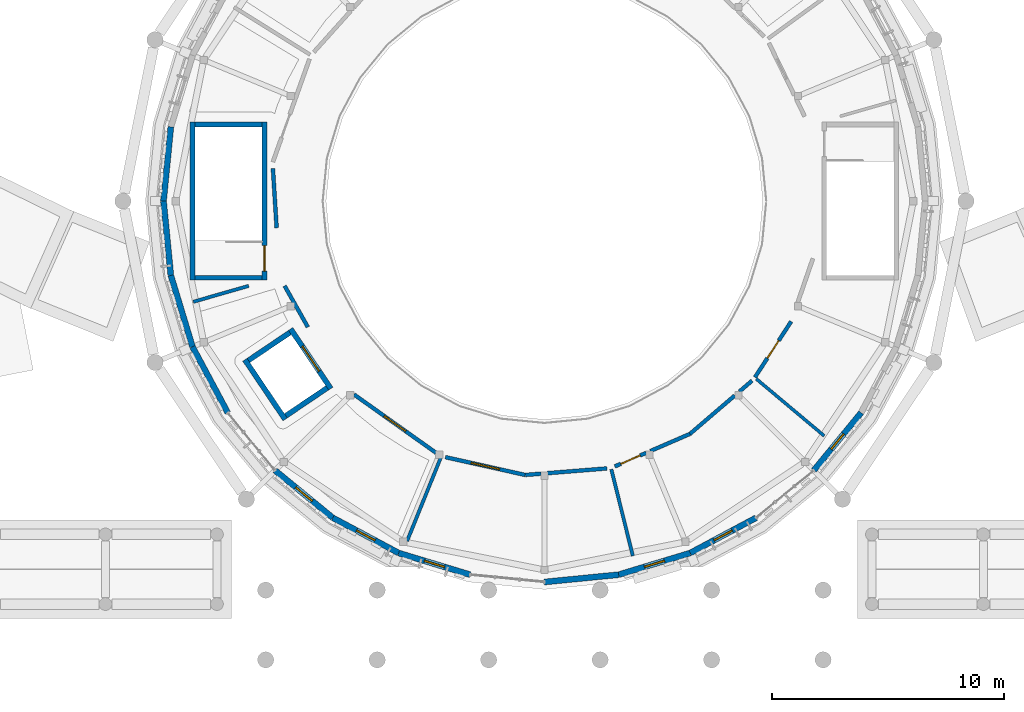
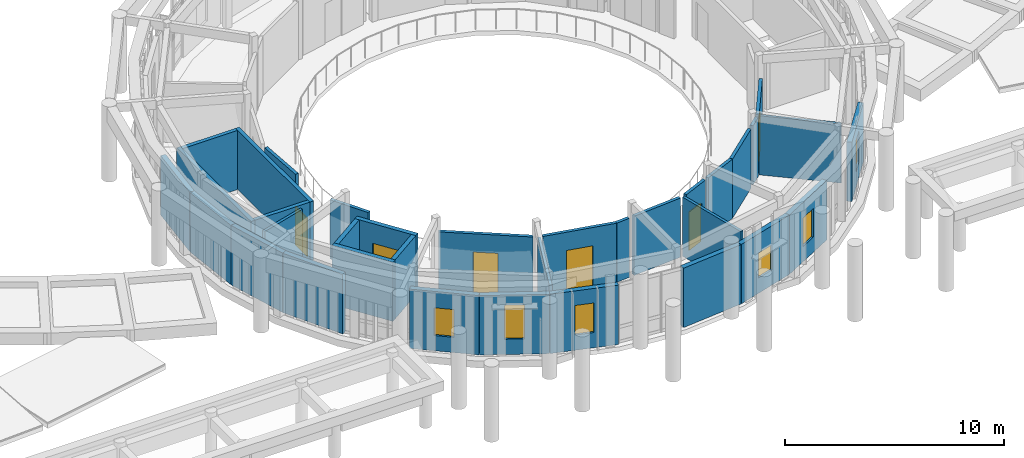
# One storey, part 47 of 80: 34 walls, 6 doors, 6 windows, 12 openings.
"""IFC4 building model written with IfcOpenShell, lengths in metres."""

from ifc_helpers import new_model, si_unit, direction, frame, frame_2d, origin, place, context, subcontext, project, spatial, rectangle, extrude, material, layer, layer_set, type_object, element, fill, save


model = new_model("IFC4")

# Units and contexts
model_context = context("Model", 3, precision=1e-05, world=origin(), true_north=direction((0.0, 1.0)))
body_context = subcontext(model_context, "Body", "Model", "MODEL_VIEW")
ifc_project = project(units=[si_unit("LENGTHUNIT", "METRE"), si_unit("AREAUNIT", "SQUARE_METRE"), si_unit("VOLUMEUNIT", "CUBIC_METRE"), si_unit("PLANEANGLEUNIT", "RADIAN"), si_unit("MASSUNIT", "GRAM", prefix="KILO")], contexts=[model_context])

# Site, building, storey
site_placement = place(None, origin())
site = spatial("IfcSite", under=ifc_project, at=site_placement, CompositionType="ELEMENT")
building_placement = place(site_placement, origin())
building = spatial("IfcBuilding", under=site, at=building_placement, Name="Aldenvaro Health Centre", CompositionType="ELEMENT")
storey_placement = place(building_placement, frame((0.0, 0.0, 4.550048828125)))
storey = spatial("IfcBuildingStorey", under=building, at=storey_placement, Name="L01", CompositionType="ELEMENT", Elevation=4.550048828125)

# Walls
ifc_material_1 = material(Name="Gypsum Stud Acoustic Assembly")
ifc_layer_1 = layer(ifc_material_1, 0.14501953125, Name="Gypsum Stud Acoustic Assembly")
ifc_layer_set_1 = layer_set([ifc_layer_1], Name="Gypsum Stud Acoustic Assembly")
wall_type_1 = type_object("IfcWallType", Name="WL-CLN-145", PredefinedType="PARTITIONING", material=ifc_layer_set_1)
wall_1_placement = place(storey_placement, frame((74.27099609375, 16.35009765625, 0.0), z_axis=(0.0, 0.0, 1.0), x_axis=(-0.96127114667, -0.275604395065, 0.0)))
element("IfcWall", 1, at=wall_1_placement, inside=storey, type_object=wall_type_1, Name="D1 L01 clinical partition 4.1", PredefinedType="PARTITIONING", context=body_context, shape_type="SweptSolid", body=[
    extrude(rectangle(XDim=2.482177734375, YDim=0.14501953125, at=frame_2d((1.2412109375, 0.0))), origin(), (0.0, 0.0, 1.0), 3.300048828125),
])
wall_2_placement = place(storey_placement, frame((82.541015625, 8.964111328125, 0.0), z_axis=(0.0, 0.0, 1.0), x_axis=(-0.374510873584, -0.927222522142, 0.0)))
element("IfcWall", 2, at=wall_2_placement, inside=storey, type_object=wall_type_1, Name="D1 L01 clinical partition 5.1", PredefinedType="PARTITIONING", context=body_context, shape_type="SweptSolid", body=[
    extrude(rectangle(XDim=3.882568359375, YDim=0.14501953125, at=frame_2d((1.94140625, 0.0))), origin(), (0.0, 0.0, 1.0), 3.300048828125),
])
wall_3_placement = place(storey_placement, frame((89.8798828125, 8.450927734375, 0.0), z_axis=(0.0, 0.0, 1.0), x_axis=(0.241742626418, -0.970340405514, 0.0)))
element("IfcWall", 3, at=wall_3_placement, inside=storey, type_object=wall_type_1, Name="D1 L01 clinical partition 6.1", PredefinedType="PARTITIONING", context=body_context, shape_type="SweptSolid", body=[
    extrude(rectangle(XDim=3.839599609375, YDim=0.14501953125, at=frame_2d((1.919921875, 0.0))), origin(), (0.0, 0.0, 1.0), 3.300048828125),
])
ifc_layer_2 = layer(ifc_material_1, 0.1650390625, Name="Gypsum Stud Acoustic Assembly")
ifc_layer_set_2 = layer_set([ifc_layer_2], Name="Gypsum Stud Acoustic Assembly")
wall_type_2 = type_object("IfcWallType", Name="WL-COR-165", PredefinedType="PARTITIONING", material=ifc_layer_set_2)
wall_4_placement = place(storey_placement, frame((75.31005859375, 21.405029296875, 0.0), z_axis=(0.0, 0.0, 1.0), x_axis=(0.062467347382, -0.998047008167, 0.0)))
element("IfcWall", 4, at=wall_4_placement, inside=storey, type_object=wall_type_2, Name="D1 L01 corridor wall 03.2", PredefinedType="PARTITIONING", context=body_context, shape_type="SweptSolid", body=[
    extrude(rectangle(XDim=2.559814453125, YDim=0.1650390625, at=frame_2d((1.27978515625, 0.0))), origin(), (0.0, 0.0, 1.0), 3.300048828125),
])
wall_5_placement = place(storey_placement, frame((75.81396484375, 16.35009765625, 0.0), z_axis=(0.0, 0.0, 1.0), x_axis=(0.491223208107, -0.871033730585, 0.0)))
element("IfcWall", 5, at=wall_5_placement, inside=storey, type_object=wall_type_2, Name="D1 L01 corridor wall 04.1", PredefinedType="PARTITIONING", context=body_context, shape_type="SweptSolid", body=[
    extrude(rectangle(XDim=2.03564453125, YDim=0.1650390625, at=frame_2d((1.017822265625, 0.0))), origin(), (0.0, 0.0, 1.0), 3.300048828125),
])

# Wall, opening, door
wall_6_placement = place(storey_placement, frame((78.801025390625, 11.675048828125, 0.0), z_axis=(0.0, 0.0, 1.0), x_axis=(0.814800554092, -0.57974137083, 0.0)))
wall_6 = element("IfcWall", 6, at=wall_6_placement, inside=storey, type_object=wall_type_2, Name="D1 L01 corridor wall 04.2", PredefinedType="PARTITIONING", context=body_context, shape_type="SweptSolid", body=[
    extrude(rectangle(XDim=4.33837890625, YDim=0.1650390625, at=frame_2d((2.169189453125, 0.0))), origin(), (0.0, 0.0, 1.0), 3.300048828125),
])
opening_1_placement = place(wall_6_placement, frame((1.59912109375, 0.0, 0.0)))
opening_1 = element("IfcOpeningElement", 7, at=opening_1_placement, cuts=wall_6, Name="Opening D-13", PredefinedType="OPENING", context=body_context, shape_type="SweptSolid", body=[
    extrude(rectangle(XDim=1.139892578125, YDim=2.280029296875, at=frame_2d((0.56982421875, 1.14013671875))), frame((0.0, 0.092529296875, 0.0), z_axis=(0.0, -1.0, 0.0), x_axis=(1.0, 0.0, 0.0)), (0.0, 0.0, 1.0), 0.18505859375),
])
ifc_material_2 = material(Name="Rehab Gym Access Door")
door_type_1 = type_object("IfcDoorType", Name="DR-CLN-13", OperationType="NOTDEFINED", PredefinedType="DOOR", material=ifc_material_2)
door_1_placement = place(opening_1_placement, origin())
door_1 = element("IfcDoor", 8, at=door_1_placement, inside=storey, type_object=door_type_1, Name="Patient Health Library and Resource Lounge Door", OperationType="SINGLE_SWING_RIGHT", OverallHeight=2.280029296875, OverallWidth=1.139892578125, PredefinedType="DOOR", context=body_context, shape_type="SweptSolid", body=[
    extrude(rectangle(XDim=1.139892578125, YDim=2.280029296875, at=frame_2d((0.56982421875, 1.14013671875))), frame((0.0, 0.02490234375, 0.0), z_axis=(0.0, -1.0, 0.0), x_axis=(1.0, 0.0, 0.0)), (0.0, 0.0, 1.0), 0.050048828125),
])
fill(opening_1, door_1)

wall_7_placement = place(storey_placement, frame((82.735107421875, 8.97607421875, 0.0), z_axis=(0.0, 0.0, 1.0), x_axis=(0.976027064995, -0.21764918653, 0.0)))
wall_7 = element("IfcWall", 9, at=wall_7_placement, inside=storey, type_object=wall_type_2, Name="D1 L01 corridor wall 05.1", PredefinedType="PARTITIONING", context=body_context, shape_type="SweptSolid", body=[
    extrude(rectangle(XDim=3.5244140625, YDim=0.1650390625, at=frame_2d((1.76220703125, 0.0))), origin(), (0.0, 0.0, 1.0), 3.300048828125),
])
opening_2_placement = place(wall_7_placement, frame((1.132080078125, 0.0, 0.0)))
opening_2 = element("IfcOpeningElement", 10, at=opening_2_placement, cuts=wall_7, Name="Opening D-14", PredefinedType="OPENING", context=body_context, shape_type="SweptSolid", body=[
    extrude(rectangle(XDim=1.260009765625, YDim=2.280029296875, at=frame_2d((0.6298828125, 1.14013671875))), frame((0.0, 0.092529296875, 0.0), z_axis=(0.0, -1.0, 0.0), x_axis=(1.0, 0.0, 0.0)), (0.0, 0.0, 1.0), 0.18505859375),
])
ifc_material_3 = material(Name="Equipment Alcove Door")
door_type_2 = type_object("IfcDoorType", Name="DR-CLN-14", OperationType="NOTDEFINED", PredefinedType="DOOR", material=ifc_material_3)
door_2_placement = place(opening_2_placement, origin())
door_2 = element("IfcDoor", 11, at=door_2_placement, inside=storey, type_object=door_type_2, Name="Social Work Consultation Room Door", OperationType="SINGLE_SWING_LEFT", OverallHeight=2.280029296875, OverallWidth=1.260009765625, PredefinedType="DOOR", context=body_context, shape_type="SweptSolid", body=[
    extrude(rectangle(XDim=1.260009765625, YDim=2.280029296875, at=frame_2d((0.6298828125, 1.14013671875))), frame((0.0, 0.02490234375, 0.0), z_axis=(0.0, -1.0, 0.0), x_axis=(1.0, 0.0, 0.0)), (0.0, 0.0, 1.0), 0.050048828125),
])
fill(opening_2, door_2)

# Walls
wall_8_placement = place(storey_placement, frame((86.175048828125, 8.208984375, 0.0), z_axis=(0.0, 0.0, 1.0), x_axis=(0.996809636353, 0.079815718213, 0.0)))
element("IfcWall", 12, at=wall_8_placement, inside=storey, type_object=wall_type_2, Name="D1 L01 corridor wall 05.2", PredefinedType="PARTITIONING", context=body_context, shape_type="SweptSolid", body=[
    extrude(rectangle(XDim=0.688232421875, YDim=0.1650390625, at=frame_2d((0.34423828125, 0.0))), origin(), (0.0, 0.0, 1.0), 3.300048828125),
])
wall_9_placement = place(storey_placement, frame((87.1240234375, 8.284912109375, 0.0), z_axis=(0.0, 0.0, 1.0), x_axis=(0.996818897766, 0.079699968982, 0.0)))
element("IfcWall", 13, at=wall_9_placement, inside=storey, type_object=wall_type_2, Name="D1 L01 corridor wall 05.3", PredefinedType="PARTITIONING", context=body_context, shape_type="SweptSolid", body=[
    extrude(rectangle(XDim=2.5732421875, YDim=0.1650390625, at=frame_2d((1.28662109375, 0.0))), origin(), (0.0, 0.0, 1.0), 3.300048828125),
])

# Wall, opening, door
wall_10_placement = place(storey_placement, frame((90.029052734375, 8.574951171875, 0.0), z_axis=(0.0, 0.0, 1.0), x_axis=(0.917648226471, 0.397393674401, 0.0)))
wall_10 = element("IfcWall", 14, at=wall_10_placement, inside=storey, type_object=wall_type_2, Name="D1 L01 corridor wall 06.1", PredefinedType="PARTITIONING", context=body_context, shape_type="SweptSolid", body=[
    extrude(rectangle(XDim=1.474365234375, YDim=0.1650390625, at=frame_2d((0.7373046875, 0.0))), origin(), (0.0, 0.0, 1.0), 3.300048828125),
])
opening_3_placement = place(wall_10_placement, frame((0.281982421875, 0.0, 0.0)))
opening_3 = element("IfcOpeningElement", 15, at=opening_3_placement, cuts=wall_10, Name="Opening D-15", PredefinedType="OPENING", context=body_context, shape_type="SweptSolid", body=[
    extrude(rectangle(XDim=0.909912109375, YDim=2.14990234375, at=frame_2d((0.455078125, 1.074951171875))), frame((0.0, 0.092529296875, 0.0), z_axis=(0.0, -1.0, 0.0), x_axis=(1.0, 0.0, 0.0)), (0.0, 0.0, 1.0), 0.18505859375),
])
ifc_material_4 = material(Name="Exam Suite Timber Door", Category="wood")
door_type_3 = type_object("IfcDoorType", Name="DR-CLN-15", OperationType="NOTDEFINED", PredefinedType="DOOR", material=ifc_material_4)
door_3_placement = place(opening_3_placement, origin())
door_3 = element("IfcDoor", 16, at=door_3_placement, inside=storey, type_object=door_type_3, Name="Community Outreach Coordinator Office Door", OperationType="SINGLE_SWING_RIGHT", OverallHeight=2.14990234375, OverallWidth=0.909912109375, PredefinedType="DOOR", context=body_context, shape_type="SweptSolid", body=[
    extrude(rectangle(XDim=0.909912109375, YDim=2.14990234375, at=frame_2d((0.455078125, 1.074951171875))), frame((0.0, 0.02490234375, 0.0), z_axis=(0.0, -1.0, 0.0), x_axis=(1.0, 0.0, 0.0)), (0.0, 0.0, 1.0), 0.050048828125),
])
fill(opening_3, door_3)

# Walls
wall_11_placement = place(storey_placement, frame((91.56005859375, 9.238037109375, 0.0), z_axis=(0.0, 0.0, 1.0), x_axis=(0.917614776026, 0.397470908142, 0.0)))
element("IfcWall", 17, at=wall_11_placement, inside=storey, type_object=wall_type_2, Name="D1 L01 corridor wall 06.2", PredefinedType="PARTITIONING", context=body_context, shape_type="SweptSolid", body=[
    extrude(rectangle(XDim=1.85693359375, YDim=0.1650390625, at=frame_2d((0.928466796875, 0.0))), origin(), (0.0, 0.0, 1.0), 3.300048828125),
])
wall_12_placement = place(storey_placement, frame((93.263916015625, 9.97607421875, 0.0), z_axis=(0.0, 0.0, 1.0), x_axis=(0.759466556713, 0.650546346722, 0.0)))
element("IfcWall", 18, at=wall_12_placement, inside=storey, type_object=wall_type_2, Name="D1 L01 corridor wall 06.3", PredefinedType="PARTITIONING", context=body_context, shape_type="SweptSolid", body=[
    extrude(rectangle(XDim=2.5439453125, YDim=0.1650390625, at=frame_2d((1.27197265625, 0.0))), origin(), (0.0, 0.0, 1.0), 3.300048828125),
])
wall_13_placement = place(storey_placement, frame((95.39404296875, 11.800048828125, 0.0), z_axis=(0.0, 0.0, 1.0), x_axis=(0.759089131102, 0.650986705735, 0.0)))
element("IfcWall", 19, at=wall_13_placement, inside=storey, type_object=wall_type_2, Name="D1 L01 corridor wall 06.4", PredefinedType="PARTITIONING", context=body_context, shape_type="SweptSolid", body=[
    extrude(rectangle(XDim=0.720458984375, YDim=0.1650390625, at=frame_2d((0.3603515625, 0.0))), origin(), (0.0, 0.0, 1.0), 3.300048828125),
])

# Wall, opening, door
wall_14_placement = place(storey_placement, frame((96.06494140625, 12.4150390625, 0.0), z_axis=(0.0, 0.0, 1.0), x_axis=(0.544272168669, 0.838908699688, 0.0)))
wall_14 = element("IfcWall", 20, at=wall_14_placement, inside=storey, type_object=wall_type_2, Name="D1 L01 corridor wall 07.1", PredefinedType="PARTITIONING", context=body_context, shape_type="SweptSolid", body=[
    extrude(rectangle(XDim=2.864501953125, YDim=0.1650390625, at=frame_2d((1.43212890625, 0.0))), origin(), (0.0, 0.0, 1.0), 3.300048828125),
])
opening_4_placement = place(wall_14_placement, frame((0.98193359375, 0.0, 0.0)))
opening_4 = element("IfcOpeningElement", 21, at=opening_4_placement, cuts=wall_14, Name="Opening WD-01", PredefinedType="OPENING", context=body_context, shape_type="SweptSolid", body=[
    extrude(rectangle(XDim=0.89990234375, YDim=2.10009765625, at=frame_2d((0.449951171875, 1.050048828125))), frame((0.0, 0.092529296875, 0.0), z_axis=(0.0, -1.0, 0.0), x_axis=(1.0, 0.0, 0.0)), (0.0, 0.0, 1.0), 0.18505859375),
])
ifc_material_5 = material(Name="Moisture-Resistant Laminate Door")
door_type_4 = type_object("IfcDoorType", Name="DR-WC-01", OperationType="NOTDEFINED", PredefinedType="DOOR", material=ifc_material_5)
door_4_placement = place(opening_4_placement, origin())
door_4 = element("IfcDoor", 22, at=door_4_placement, inside=storey, type_object=door_type_4, Name="Male Public WC Door", OperationType="SINGLE_SWING_LEFT", OverallHeight=2.10009765625, OverallWidth=0.89990234375, PredefinedType="DOOR", context=body_context, shape_type="SweptSolid", body=[
    extrude(rectangle(XDim=0.89990234375, YDim=2.10009765625, at=frame_2d((0.449951171875, 1.050048828125))), frame((0.0, 0.02490234375, 0.0), z_axis=(0.0, -1.0, 0.0), x_axis=(1.0, 0.0, 0.0)), (0.0, 0.0, 1.0), 0.050048828125),
])
fill(opening_4, door_4)

# Wall, opening, window
ifc_material_6 = material(Name="Cross-laminated timber CLT E1", Category="wood")
ifc_layer_3 = layer(ifc_material_6, 0.2548828125, Name="Cross-laminated timber CLT E1", Category="wood")
ifc_layer_set_3 = layer_set([ifc_layer_3], Name="Cross-laminated timber CLT E1")
wall_type_3 = type_object("IfcWallType", Name="WL-EXT-255", PredefinedType="ELEMENTEDWALL", material=ifc_layer_set_3)
wall_15_placement = place(storey_placement, frame((100.635986328125, 10.888916015625, 0.0), z_axis=(0.0, 0.0, 1.0), x_axis=(-0.634204896314, -0.773165020866, 0.0)))
wall_15 = element("IfcWall", 23, at=wall_15_placement, inside=storey, type_object=wall_type_3, Name="D1 L01 exterior wall 04", PredefinedType="ELEMENTEDWALL", context=body_context, shape_type="SweptSolid", body=[
    extrude(rectangle(XDim=3.215087890625, YDim=0.2548828125, at=frame_2d((1.607421875, 0.0))), origin(), (0.0, 0.0, 1.0), 3.31396484375),
])
opening_5_placement = place(wall_15_placement, frame((1.18310546875, 0.0, 0.85009765625)))
opening_5 = element("IfcOpeningElement", 24, at=opening_5_placement, cuts=wall_15, Name="Opening W-03", PredefinedType="OPENING", context=body_context, shape_type="SweptSolid", body=[
    extrude(rectangle(XDim=0.85009765625, YDim=1.75, at=frame_2d((0.425048828125, 0.875))), frame((0.0, 0.137451171875, 0.0), z_axis=(0.0, -1.0, 0.0), x_axis=(1.0, 0.0, 0.0)), (0.0, 0.0, 1.0), 0.27490234375),
])
ifc_material_7 = material(Name="Thermally Broken Aluminium Low-E Glass", Category="aluminium")
window_type_1 = type_object("IfcWindowType", Name="WN-EXT-03", PartitioningType="SINGLE_PANEL", PredefinedType="WINDOW", material=ifc_material_7)
window_1_placement = place(opening_5_placement, origin())
window_1 = element("IfcWindow", 25, at=window_1_placement, inside=storey, type_object=window_type_1, Name="D1 L01 clinical window 04", OverallHeight=1.75, OverallWidth=0.85009765625, PartitioningType="SINGLE_PANEL", PredefinedType="WINDOW", context=body_context, shape_type="SweptSolid", body=[
    extrude(rectangle(XDim=0.85009765625, YDim=1.75, at=frame_2d((0.425048828125, 0.875))), frame((0.0, 0.030029296875, 0.0), z_axis=(0.0, -1.0, 0.0), x_axis=(1.0, 0.0, 0.0)), (0.0, 0.0, 1.0), 0.06005859375),
])
fill(opening_5, window_1)

wall_16_placement = place(storey_placement, frame((96.111083984375, 6.364013671875, 0.0), z_axis=(0.0, 0.0, 1.0), x_axis=(-0.881835313523, -0.47155750426, 0.0)))
wall_16 = element("IfcWall", 26, at=wall_16_placement, inside=storey, type_object=wall_type_3, Name="D1 L01 exterior wall 06", PredefinedType="ELEMENTEDWALL", context=body_context, shape_type="SweptSolid", body=[
    extrude(rectangle(XDim=3.215087890625, YDim=0.2548828125, at=frame_2d((1.607421875, 0.0))), origin(), (0.0, 0.0, 1.0), 3.31396484375),
])
opening_6_placement = place(wall_16_placement, frame((1.1669921875, 0.0, 0.85009765625)))
opening_6 = element("IfcOpeningElement", 27, at=opening_6_placement, cuts=wall_16, Name="Opening W-04", PredefinedType="OPENING", context=body_context, shape_type="SweptSolid", body=[
    extrude(rectangle(XDim=0.8798828125, YDim=1.60009765625, at=frame_2d((0.43994140625, 0.800048828125))), frame((0.0, 0.137451171875, 0.0), z_axis=(0.0, -1.0, 0.0), x_axis=(1.0, 0.0, 0.0)), (0.0, 0.0, 1.0), 0.27490234375),
])
window_type_2 = type_object("IfcWindowType", Name="WN-EXT-04", PartitioningType="SINGLE_PANEL", PredefinedType="WINDOW", material=ifc_material_7)
window_2_placement = place(opening_6_placement, origin())
window_2 = element("IfcWindow", 28, at=window_2_placement, inside=storey, type_object=window_type_2, Name="D1 L01 clinical window 06", OverallHeight=1.60009765625, OverallWidth=0.8798828125, PartitioningType="SINGLE_PANEL", PredefinedType="WINDOW", context=body_context, shape_type="SweptSolid", body=[
    extrude(rectangle(XDim=0.8798828125, YDim=1.60009765625, at=frame_2d((0.43994140625, 0.800048828125))), frame((0.0, 0.030029296875, 0.0), z_axis=(0.0, -1.0, 0.0), x_axis=(1.0, 0.0, 0.0)), (0.0, 0.0, 1.0), 0.06005859375),
])
fill(opening_6, window_2)

wall_17_placement = place(storey_placement, frame((93.27587890625, 4.847900390625, 0.0), z_axis=(0.0, 0.0, 1.0), x_axis=(-0.956984161567, -0.29014016356, 0.0)))
wall_17 = element("IfcWall", 29, at=wall_17_placement, inside=storey, type_object=wall_type_3, Name="D1 L01 exterior wall 07", PredefinedType="ELEMENTEDWALL", context=body_context, shape_type="SweptSolid", body=[
    extrude(rectangle(XDim=3.215087890625, YDim=0.2548828125, at=frame_2d((1.607421875, 0.0))), origin(), (0.0, 0.0, 1.0), 3.31396484375),
])
opening_7_placement = place(wall_17_placement, frame((1.157958984375, 0.0, 0.85009765625)))
opening_7 = element("IfcOpeningElement", 30, at=opening_7_placement, cuts=wall_17, Name="Opening W-05", PredefinedType="OPENING", context=body_context, shape_type="SweptSolid", body=[
    extrude(rectangle(XDim=0.89990234375, YDim=1.39990234375, at=frame_2d((0.449951171875, 0.699951171875))), frame((0.0, 0.137451171875, 0.0), z_axis=(0.0, -1.0, 0.0), x_axis=(1.0, 0.0, 0.0)), (0.0, 0.0, 1.0), 0.27490234375),
])
window_type_3 = type_object("IfcWindowType", Name="WN-EXT-05", PartitioningType="SINGLE_PANEL", PredefinedType="WINDOW", material=ifc_material_7)
window_3_placement = place(opening_7_placement, origin())
window_3 = element("IfcWindow", 31, at=window_3_placement, inside=storey, type_object=window_type_3, Name="D1 L01 clinical window 07", OverallHeight=1.39990234375, OverallWidth=0.89990234375, PartitioningType="SINGLE_PANEL", PredefinedType="WINDOW", context=body_context, shape_type="SweptSolid", body=[
    extrude(rectangle(XDim=0.89990234375, YDim=1.39990234375, at=frame_2d((0.449951171875, 0.699951171875))), frame((0.0, 0.030029296875, 0.0), z_axis=(0.0, -1.0, 0.0), x_axis=(1.0, 0.0, 0.0)), (0.0, 0.0, 1.0), 0.06005859375),
])
fill(opening_7, window_3)

# Wall
wall_18_placement = place(storey_placement, frame((90.198974609375, 3.9150390625, 0.0), z_axis=(0.0, 0.0, 1.0), x_axis=(-0.995188673637, -0.097977057849, 0.0)))
element("IfcWall", 32, at=wall_18_placement, inside=storey, type_object=wall_type_3, Name="D1 L01 exterior wall 08", PredefinedType="ELEMENTEDWALL", context=body_context, shape_type="SweptSolid", body=[
    extrude(rectangle(XDim=3.21435546875, YDim=0.2548828125, at=frame_2d((1.607177734375, 0.0))), origin(), (0.0, 0.0, 1.0), 3.31396484375),
])

# Wall, opening, window
wall_19_placement = place(storey_placement, frame((83.801025390625, 3.9150390625, 0.0), z_axis=(0.0, 0.0, 1.0), x_axis=(-0.956984161567, 0.29014016356, 0.0)))
wall_19 = element("IfcWall", 33, at=wall_19_placement, inside=storey, type_object=wall_type_3, Name="D1 L01 exterior wall 10", PredefinedType="ELEMENTEDWALL", context=body_context, shape_type="SweptSolid", body=[
    extrude(rectangle(XDim=3.215087890625, YDim=0.2548828125, at=frame_2d((1.607421875, 0.0))), origin(), (0.0, 0.0, 1.0), 3.31396484375),
])
opening_8_placement = place(wall_19_placement, frame((1.157958984375, 0.0, 0.85009765625)))
opening_8 = element("IfcOpeningElement", 34, at=opening_8_placement, cuts=wall_19, Name="Opening W-06", PredefinedType="OPENING", context=body_context, shape_type="SweptSolid", body=[
    extrude(rectangle(XDim=0.89990234375, YDim=1.64990234375, at=frame_2d((0.449951171875, 0.824951171875))), frame((0.0, 0.137451171875, 0.0), z_axis=(0.0, -1.0, 0.0), x_axis=(1.0, 0.0, 0.0)), (0.0, 0.0, 1.0), 0.27490234375),
])
window_type_4 = type_object("IfcWindowType", Name="WN-EXT-06", PartitioningType="SINGLE_PANEL", PredefinedType="WINDOW", material=ifc_material_7)
window_4_placement = place(opening_8_placement, origin())
window_4 = element("IfcWindow", 35, at=window_4_placement, inside=storey, type_object=window_type_4, Name="D1 L01 clinical window 10", OverallHeight=1.64990234375, OverallWidth=0.89990234375, PartitioningType="SINGLE_PANEL", PredefinedType="WINDOW", context=body_context, shape_type="SweptSolid", body=[
    extrude(rectangle(XDim=0.89990234375, YDim=1.64990234375, at=frame_2d((0.449951171875, 0.824951171875))), frame((0.0, 0.030029296875, 0.0), z_axis=(0.0, -1.0, 0.0), x_axis=(1.0, 0.0, 0.0)), (0.0, 0.0, 1.0), 0.06005859375),
])
fill(opening_8, window_4)

wall_20_placement = place(storey_placement, frame((80.72412109375, 4.847900390625, 0.0), z_axis=(0.0, 0.0, 1.0), x_axis=(-0.881835313523, 0.47155750426, 0.0)))
wall_20 = element("IfcWall", 36, at=wall_20_placement, inside=storey, type_object=wall_type_3, Name="D1 L01 exterior wall 11", PredefinedType="ELEMENTEDWALL", context=body_context, shape_type="SweptSolid", body=[
    extrude(rectangle(XDim=3.215087890625, YDim=0.2548828125, at=frame_2d((1.607421875, 0.0))), origin(), (0.0, 0.0, 1.0), 3.31396484375),
])
opening_9_placement = place(wall_20_placement, frame((1.156982421875, 0.0, 0.85009765625)))
opening_9 = element("IfcOpeningElement", 37, at=opening_9_placement, cuts=wall_20, Name="Opening W-07", PredefinedType="OPENING", context=body_context, shape_type="SweptSolid", body=[
    extrude(rectangle(XDim=0.89990234375, YDim=1.89990234375, at=frame_2d((0.449951171875, 0.949951171875))), frame((0.0, 0.137451171875, 0.0), z_axis=(0.0, -1.0, 0.0), x_axis=(1.0, 0.0, 0.0)), (0.0, 0.0, 1.0), 0.27490234375),
])
window_type_5 = type_object("IfcWindowType", Name="WN-EXT-07", PartitioningType="SINGLE_PANEL", PredefinedType="WINDOW", material=ifc_material_7)
window_5_placement = place(opening_9_placement, origin())
window_5 = element("IfcWindow", 38, at=window_5_placement, inside=storey, type_object=window_type_5, Name="D1 L01 clinical window 11", OverallHeight=1.89990234375, OverallWidth=0.89990234375, PartitioningType="SINGLE_PANEL", PredefinedType="WINDOW", context=body_context, shape_type="SweptSolid", body=[
    extrude(rectangle(XDim=0.89990234375, YDim=1.89990234375, at=frame_2d((0.449951171875, 0.949951171875))), frame((0.0, 0.030029296875, 0.0), z_axis=(0.0, -1.0, 0.0), x_axis=(1.0, 0.0, 0.0)), (0.0, 0.0, 1.0), 0.06005859375),
])
fill(opening_9, window_5)

wall_21_placement = place(storey_placement, frame((77.888916015625, 6.364013671875, 0.0), z_axis=(0.0, 0.0, 1.0), x_axis=(-0.773165020866, 0.634204896314, 0.0)))
wall_21 = element("IfcWall", 39, at=wall_21_placement, inside=storey, type_object=wall_type_3, Name="D1 L01 exterior wall 12", PredefinedType="ELEMENTEDWALL", context=body_context, shape_type="SweptSolid", body=[
    extrude(rectangle(XDim=3.215087890625, YDim=0.2548828125, at=frame_2d((1.607421875, 0.0))), origin(), (0.0, 0.0, 1.0), 3.31396484375),
])
opening_10_placement = place(wall_21_placement, frame((1.14794921875, 0.0, 0.85009765625)))
opening_10 = element("IfcOpeningElement", 40, at=opening_10_placement, cuts=wall_21, Name="Opening W-08", PredefinedType="OPENING", context=body_context, shape_type="SweptSolid", body=[
    extrude(rectangle(XDim=0.919921875, YDim=1.550048828125, at=frame_2d((0.4599609375, 0.77490234375))), frame((0.0, 0.137451171875, 0.0), z_axis=(0.0, -1.0, 0.0), x_axis=(1.0, 0.0, 0.0)), (0.0, 0.0, 1.0), 0.27490234375),
])
window_type_6 = type_object("IfcWindowType", Name="WN-EXT-08", PartitioningType="SINGLE_PANEL", PredefinedType="WINDOW", material=ifc_material_7)
window_6_placement = place(opening_10_placement, origin())
window_6 = element("IfcWindow", 41, at=window_6_placement, inside=storey, type_object=window_type_6, Name="D1 L01 clinical window 12", OverallHeight=1.550048828125, OverallWidth=0.919921875, PartitioningType="SINGLE_PANEL", PredefinedType="WINDOW", context=body_context, shape_type="SweptSolid", body=[
    extrude(rectangle(XDim=0.919921875, YDim=1.550048828125, at=frame_2d((0.4599609375, 0.77490234375))), frame((0.0, 0.030029296875, 0.0), z_axis=(0.0, -1.0, 0.0), x_axis=(1.0, 0.0, 0.0)), (0.0, 0.0, 1.0), 0.06005859375),
])
fill(opening_10, window_6)

# Walls
for number, where, z_axis, x_axis, name in (
    (42, (73.364013671875, 10.888916015625, 0.0), (0.0, 0.0, 1.0), (-0.47155750426, 0.881835313523, 0.0), "D1 L01 exterior wall 14"),
    (43, (71.847900390625, 13.72412109375, 0.0), (0.0, 0.0, 1.0), (-0.29014016356, 0.956984161567, 0.0), "D1 L01 exterior wall 15"),
):
    element("IfcWall", number, at=place(storey_placement, frame(where, z_axis=z_axis, x_axis=x_axis)), inside=storey, type_object=wall_type_3, Name=name, PredefinedType="ELEMENTEDWALL", context=body_context, shape_type="SweptSolid", body=[
        extrude(rectangle(XDim=3.215087890625, YDim=0.2548828125, at=frame_2d((1.607421875, 0.0))), origin(), (0.0, 0.0, 1.0), 3.31396484375),
    ])
for number, where, z_axis, x_axis, name in (
    (44, (70.9150390625, 16.801025390625, 0.0), (0.0, 0.0, 1.0), (-0.097977057849, 0.995188673637, 0.0), "D1 L01 exterior wall 16"),
    (45, (70.60009765625, 20.0, 0.0), (0.0, 0.0, 1.0), (0.097977057849, 0.995188673637, 0.0), "D1 L01 exterior wall 17"),
):
    element("IfcWall", number, at=place(storey_placement, frame(where, z_axis=z_axis, x_axis=x_axis)), inside=storey, type_object=wall_type_3, Name=name, PredefinedType="ELEMENTEDWALL", context=body_context, shape_type="SweptSolid", body=[
        extrude(rectangle(XDim=3.21435546875, YDim=0.2548828125, at=frame_2d((1.607177734375, 0.0))), origin(), (0.0, 0.0, 1.0), 3.31396484375),
    ])

# Wall, opening, door
ifc_material_8 = material(Name="Concrete f'c 40 MPa", Category="concrete")
ifc_layer_4 = layer(ifc_material_8, 0.199951171875, Name="Concrete f'c 40 MPa", Category="concrete")
ifc_layer_set_4 = layer_set([ifc_layer_4], Name="Concrete f'c 40 MPa")
wall_type_4 = type_object("IfcWallType", Name="WL-SHAFT-200", PredefinedType="SHEAR", material=ifc_layer_set_4)
wall_22_placement = place(storey_placement, frame((74.949951171875, 16.60009765625, 0.0), z_axis=(0.0, 0.0, 1.0), x_axis=(0.0, 1.0, 0.0)))
wall_22 = element("IfcWall", 46, at=wall_22_placement, inside=storey, type_object=wall_type_4, Name="ST-01 L01 inner core wall", PredefinedType="SHEAR", context=body_context, shape_type="SweptSolid", body=[
    extrude(rectangle(XDim=6.7998046875, YDim=0.199951171875, at=frame_2d((3.39990234375, 0.0))), origin(), (0.0, 0.0, 1.0), 3.300048828125),
])
opening_11_placement = place(wall_22_placement, frame((0.3798828125, 0.0, 0.0)))
opening_11 = element("IfcOpeningElement", 47, at=opening_11_placement, cuts=wall_22, Name="Opening FD-01", PredefinedType="OPENING", context=body_context, shape_type="SweptSolid", body=[
    extrude(rectangle(XDim=1.10009765625, YDim=2.14990234375, at=frame_2d((0.550048828125, 1.074951171875))), frame((0.0, 0.10986328125, 0.0), z_axis=(0.0, -1.0, 0.0), x_axis=(1.0, 0.0, 0.0)), (0.0, 0.0, 1.0), 0.219970703125),
])
ifc_material_9 = material(Name="Fire-Rated Steel Door Assembly", Category="steel")
door_type_5 = type_object("IfcDoorType", Name="DR-STAIR-110", OperationType="NOTDEFINED", PredefinedType="DOOR", material=ifc_material_9)
door_5_placement = place(opening_11_placement, origin())
door_5 = element("IfcDoor", 48, at=door_5_placement, inside=storey, type_object=door_type_5, Name="ST-01 L01 fire stair door", OperationType="SINGLE_SWING_LEFT", OverallHeight=2.14990234375, OverallWidth=1.10009765625, PredefinedType="DOOR", context=body_context, shape_type="SweptSolid", body=[
    extrude(rectangle(XDim=1.10009765625, YDim=2.14990234375, at=frame_2d((0.550048828125, 1.074951171875))), frame((0.0, 0.02490234375, 0.0), z_axis=(0.0, -1.0, 0.0), x_axis=(1.0, 0.0, 0.0)), (0.0, 0.0, 1.0), 0.050048828125),
])
fill(opening_11, door_5)

# Walls
wall_23_placement = place(storey_placement, frame((71.85009765625, 16.60009765625, 0.0), z_axis=(0.0, 0.0, 1.0), x_axis=(0.0, 1.0, 0.0)))
element("IfcWall", 49, at=wall_23_placement, inside=storey, type_object=wall_type_4, Name="ST-01 L01 core wall OUT", PredefinedType="SHEAR", context=body_context, shape_type="SweptSolid", body=[
    extrude(rectangle(XDim=6.7998046875, YDim=0.199951171875, at=frame_2d((3.39990234375, 0.0))), origin(), (0.0, 0.0, 1.0), 3.300048828125),
])
for number, where, z_axis, x_axis, name in (
    (50, (74.85009765625, 16.699951171875, 0.0), (0.0, 0.0, 1.0), (-1.0, 0.0, 0.0), "ST-01 L01 core wall L"),
    (51, (74.85009765625, 23.300048828125, 0.0), (0.0, 0.0, 1.0), (-1.0, 0.0, 0.0), "ST-01 L01 core wall R"),
):
    element("IfcWall", number, at=place(storey_placement, frame(where, z_axis=z_axis, x_axis=x_axis)), inside=storey, type_object=wall_type_4, Name=name, PredefinedType="SHEAR", context=body_context, shape_type="SweptSolid", body=[
        extrude(rectangle(XDim=2.900146484375, YDim=0.199951171875, at=frame_2d((1.4501953125, 0.0))), origin(), (0.0, 0.0, 1.0), 3.300048828125),
    ])

# Wall, opening, door
ifc_layer_5 = layer(ifc_material_8, 0.22509765625, Name="Concrete f'c 40 MPa", Category="concrete")
ifc_layer_set_5 = layer_set([ifc_layer_5], Name="Concrete f'c 40 MPa")
wall_type_5 = type_object("IfcWallType", Name="WL-SHAFT-225", PredefinedType="SHEAR", material=ifc_layer_set_5)
wall_24_placement = place(storey_placement, frame((77.803955078125, 11.927978515625, 0.0), z_axis=(0.0, 0.0, 1.0), x_axis=(-0.559054792443, 0.829130712883, 0.0)))
wall_24 = element("IfcWall", 52, at=wall_24_placement, inside=storey, type_object=wall_type_5, Name="LF-01 L01 lift shaft front wall", PredefinedType="SHEAR", context=body_context, shape_type="SweptSolid", body=[
    extrude(rectangle(XDim=3.099609375, YDim=0.22509765625, at=frame_2d((1.5498046875, 0.0))), origin(), (0.0, 0.0, 1.0), 3.300048828125),
])
opening_12_placement = place(wall_24_placement, frame((0.89990234375, 0.0, 0.0)))
opening_12 = element("IfcOpeningElement", 53, at=opening_12_placement, cuts=wall_24, Name="Opening LD-02", PredefinedType="OPENING", context=body_context, shape_type="SweptSolid", body=[
    extrude(rectangle(XDim=1.300048828125, YDim=2.199951171875, at=frame_2d((0.64990234375, 1.10009765625))), frame((0.0, 0.12255859375, 0.0), z_axis=(0.0, -1.0, 0.0), x_axis=(1.0, 0.0, 0.0)), (0.0, 0.0, 1.0), 0.2451171875),
])
ifc_material_10 = material(Name="Stainless Steel Stretcher Landing Door", Category="steel")
door_type_6 = type_object("IfcDoorType", Name="DR-LIFT-130", OperationType="DOUBLE_DOOR_SLIDING", PredefinedType="DOOR", material=ifc_material_10)
door_6_placement = place(opening_12_placement, origin())
door_6 = element("IfcDoor", 54, at=door_6_placement, inside=storey, type_object=door_type_6, Name="Lift LF-01 L01 Sliding Landing Door", OperationType="DOUBLE_DOOR_SLIDING", OverallHeight=2.199951171875, OverallWidth=1.300048828125, PredefinedType="DOOR", context=body_context, shape_type="SweptSolid", body=[
    extrude(rectangle(XDim=1.300048828125, YDim=2.199951171875, at=frame_2d((0.64990234375, 1.10009765625))), frame((0.0, 0.02490234375, 0.0), z_axis=(0.0, -1.0, 0.0), x_axis=(1.0, 0.0, 0.0)), (0.0, 0.0, 1.0), 0.050048828125),
])
fill(opening_12, door_6)

# Walls
wall_25_placement = place(storey_placement, frame((75.8349609375, 10.60009765625, 0.0), z_axis=(0.0, 0.0, 1.0), x_axis=(-0.559091302934, 0.829106093925, 0.0)))
element("IfcWall", 55, at=wall_25_placement, inside=storey, type_object=wall_type_5, Name="LF-01 L01 lift shaft rear wall", PredefinedType="SHEAR", context=body_context, shape_type="SweptSolid", body=[
    extrude(rectangle(XDim=3.099609375, YDim=0.22509765625, at=frame_2d((1.5498046875, 0.0))), origin(), (0.0, 0.0, 1.0), 3.300048828125),
])
wall_26_placement = place(storey_placement, frame((77.64794921875, 11.9580078125, 0.0), z_axis=(0.0, 0.0, 1.0), x_axis=(-0.829050086962, -0.559174349652, 0.0)))
element("IfcWall", 56, at=wall_26_placement, inside=storey, type_object=wall_type_5, Name="LF-01 L01 lift shaft side wall L", PredefinedType="SHEAR", context=body_context, shape_type="SweptSolid", body=[
    extrude(rectangle(XDim=2.1494140625, YDim=0.22509765625, at=frame_2d((1.07470703125, 0.0))), origin(), (0.0, 0.0, 1.0), 3.300048828125),
])
wall_27_placement = place(storey_placement, frame((76.0400390625, 14.342041015625, 0.0), z_axis=(0.0, 0.0, 1.0), x_axis=(-0.828997430928, -0.559252411274, 0.0)))
element("IfcWall", 57, at=wall_27_placement, inside=storey, type_object=wall_type_5, Name="LF-01 L01 lift shaft side wall R", PredefinedType="SHEAR", context=body_context, shape_type="SweptSolid", body=[
    extrude(rectangle(XDim=2.149658203125, YDim=0.22509765625, at=frame_2d((1.07470703125, 0.0))), origin(), (0.0, 0.0, 1.0), 3.300048828125),
])
ifc_material_11 = material(Name="Moisture-Resistant Plumbing Stud Wall")
ifc_layer_6 = layer(ifc_material_11, 0.135009765625, Name="Moisture-Resistant Plumbing Stud Wall")
ifc_layer_set_6 = layer_set([ifc_layer_6], Name="Moisture-Resistant Plumbing Stud Wall")
wall_type_6 = type_object("IfcWallType", Name="WL-WET-135", PredefinedType="PLUMBINGWALL", material=ifc_layer_set_6)
wall_28_placement = place(storey_placement, frame((96.117919921875, 12.34912109375, 0.0), z_axis=(0.0, 0.0, 1.0), x_axis=(0.766043356979, -0.642788904096, 0.0)))
element("IfcWall", 58, at=wall_28_placement, inside=storey, type_object=wall_type_6, Name="D1 L01 clinical partition 7.1", PredefinedType="PLUMBINGWALL", context=body_context, shape_type="SweptSolid", body=[
    extrude(rectangle(XDim=3.821044921875, YDim=0.135009765625, at=frame_2d((1.91064453125, 0.0))), origin(), (0.0, 0.0, 1.0), 3.300048828125),
])

save(model, "model.ifc")
